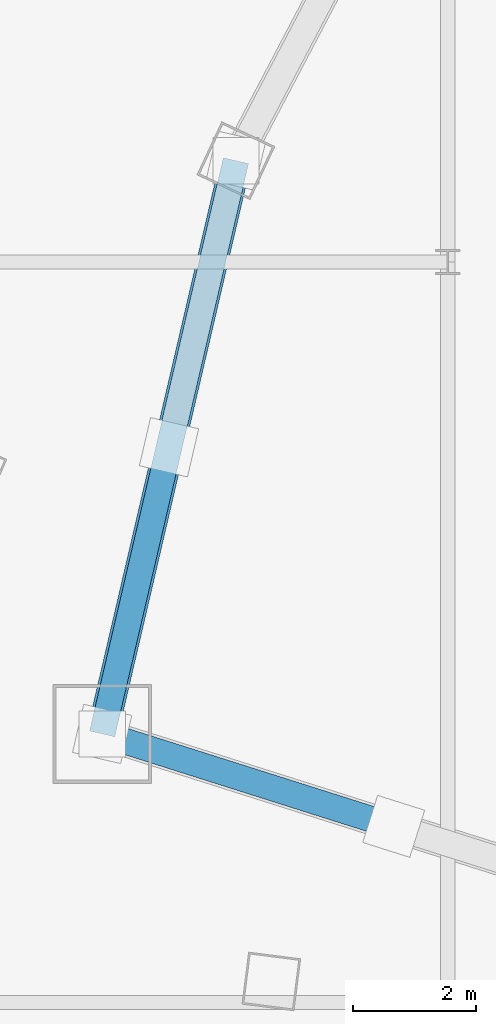
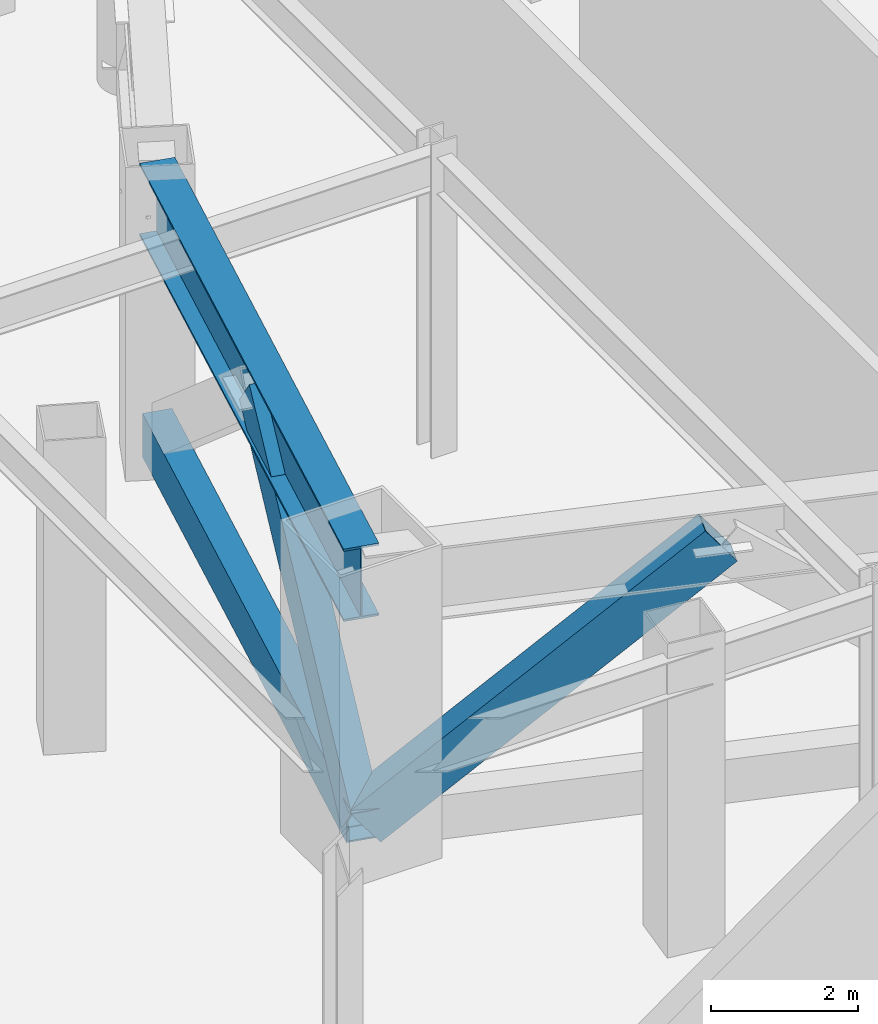
# One storey, part 5 of 43: 3 members, 1 beam.
"""IFC4 building model written with IfcOpenShell, lengths in metres."""

from ifc_helpers import new_model, si_unit, direction, frame, origin, origin_2d, place, context, subcontext, project, spatial, hollow_rectangle, i_section, extrude, material, material_profile, profile_set, type_object, element, save


model = new_model("IFC4")

# Units and contexts
model_context = context("Model", 3, precision=1e-05, world=origin(), true_north=direction((0.0, 1.0)))
body_context = subcontext(model_context, "Body", "Model", "MODEL_VIEW")
ifc_project = project(units=[si_unit("LENGTHUNIT", "METRE"), si_unit("AREAUNIT", "SQUARE_METRE"), si_unit("VOLUMEUNIT", "CUBIC_METRE"), si_unit("PLANEANGLEUNIT", "RADIAN"), si_unit("MASSUNIT", "GRAM", prefix="KILO")], contexts=[model_context])

# Site, building, storey
site_placement = place(None, origin())
site = spatial("IfcSite", under=ifc_project, at=site_placement, CompositionType="ELEMENT")
building_placement = place(site_placement, origin())
building = spatial("IfcBuilding", under=site, at=building_placement, Name="Orvanel Arch Residences", CompositionType="ELEMENT")
storey_placement = place(building_placement, frame((0.0, 0.0, 18.39990234375)))
storey = spatial("IfcBuildingStorey", under=building, at=storey_placement, Name="L04", CompositionType="ELEMENT", Elevation=18.39990234375)

# Members
ifc_material = material(Name="Structural steel AS/NZS 3678 Grade 350", Category="steel")
ifc_material_profile_1 = material_profile(ifc_material, hollow_rectangle(XDim=0.419921875, YDim=0.719970703125, WallThickness=0.02490234375, at=origin_2d()), Name="RHS720x420x25")
ifc_profile_set_1 = profile_set([ifc_material_profile_1], Name="Structural steel AS/NZS 3678 Grade 350")
member_type_1 = type_object("IfcMemberType", Name="BR-720RHS", PredefinedType="BRACE", material=ifc_profile_set_1)
member_1_placement = place(storey_placement, frame((14.198974609375, 10.35107421875, 0.4501953125), z_axis=(0.175735189853, 0.753207356508, 0.633873663398), x_axis=(-0.973844984311, 0.227213438273, 0.0)))
element("IfcMember", 1, at=member_1_placement, inside=storey, type_object=member_type_1, Name="L04 Transfer Truss Chevron Web 00.2", PredefinedType="BRACE", context=body_context, shape_type="SweptSolid", body=[
    extrude(hollow_rectangle(XDim=0.419921875, YDim=0.719970703125, WallThickness=0.02490234375, at=origin_2d()), origin(), (0.0, 0.0, 1.0), 6.168212890625),
])
member_2_placement = place(storey_placement, frame((14.198974609375, 10.35107421875, 0.4501953125), z_axis=(0.748432202194, -0.237283248562, 0.619310825573), x_axis=(0.30221548031, 0.953239635905, 0.0)))
element("IfcMember", 2, at=member_2_placement, inside=storey, type_object=member_type_1, Name="L04 Transfer Truss Chevron Web 01.1", PredefinedType="BRACE", context=body_context, shape_type="SweptSolid", body=[
    extrude(hollow_rectangle(XDim=0.419921875, YDim=0.719970703125, WallThickness=0.02490234375, at=origin_2d()), origin(), (0.0, 0.0, 1.0), 6.313232421875),
])
ifc_material_profile_2 = material_profile(ifc_material, hollow_rectangle(XDim=0.419921875, YDim=0.719970703125, WallThickness=0.02490234375, at=origin_2d()), Name="RHS720x420x25")
ifc_profile_set_2 = profile_set([ifc_material_profile_2], Name="Structural steel AS/NZS 3678 Grade 350")
member_type_2 = type_object("IfcMemberType", Name="CH-720RHS", PredefinedType="CHORD", material=ifc_profile_set_2)
member_3_placement = place(storey_placement, frame((16.366943359375, 19.64208984375, 0.4501953125), z_axis=(-0.227236087167, -0.973839699688, 0.0), x_axis=(0.973839699688, -0.227236087167, 0.0)))
element("IfcMember", 3, at=member_3_placement, inside=storey, type_object=member_type_2, Name="L04 Transfer Truss Bottom Chord 00", PredefinedType="CHORD", context=body_context, shape_type="SweptSolid", body=[
    extrude(hollow_rectangle(XDim=0.419921875, YDim=0.719970703125, WallThickness=0.02490234375, at=origin_2d()), origin(), (0.0, 0.0, 1.0), 9.54052734375),
])

# Beam
ifc_material_profile_3 = material_profile(ifc_material, i_section(OverallWidth=0.5, OverallDepth=1.199951171875, WebThickness=0.02001953125, FlangeThickness=0.035888671875, at=origin_2d()), Name="1200WB455")
ifc_profile_set_3 = profile_set([ifc_material_profile_3], Name="Structural steel AS/NZS 3678 Grade 350")
beam_type = type_object("IfcBeamType", Name="TG-1200WB", PredefinedType="USERDEFINED", material=ifc_profile_set_3)
beam_placement = place(storey_placement, frame((16.366943359375, 19.64208984375, 4.360107421875), z_axis=(-0.227236087167, -0.973839699688, 0.0), x_axis=(0.973839699688, -0.227236087167, 0.0)))
element("IfcBeam", 4, at=beam_placement, inside=storey, type_object=beam_type, Name="L04 Podium Transfer Belt Girder 00", ObjectType="TRANSFER GIRDER", PredefinedType="USERDEFINED", context=body_context, shape_type="SweptSolid", body=[
    extrude(i_section(OverallWidth=0.5, OverallDepth=1.199951171875, WebThickness=0.02001953125, FlangeThickness=0.035888671875, at=origin_2d()), origin(), (0.0, 0.0, 1.0), 9.54052734375),
])

save(model, "model.ifc")
